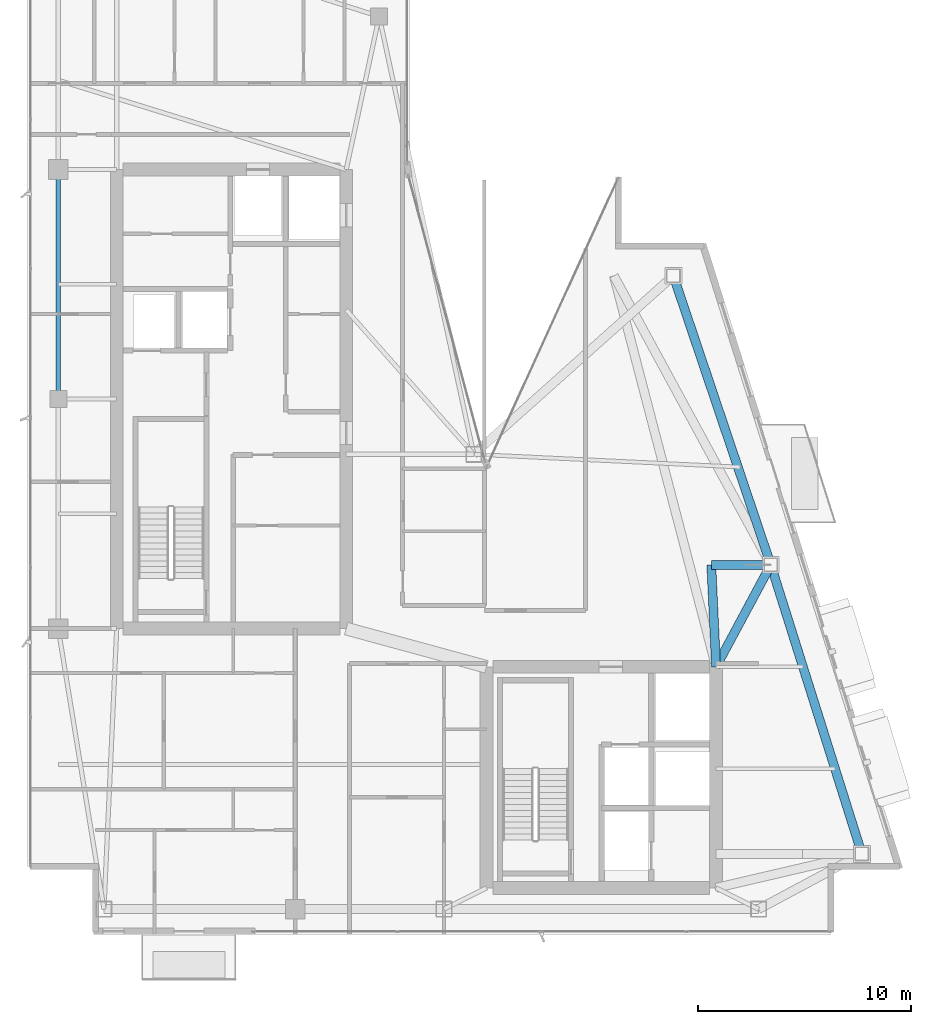
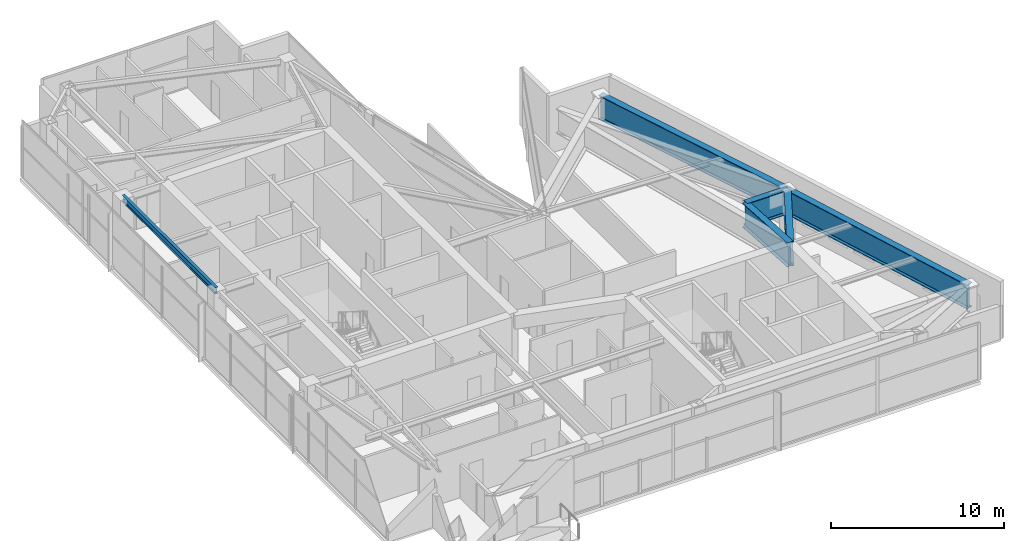
# One storey, part 14 of 26: 6 beams.
"""IFC4 building model written with IfcOpenShell, lengths in metres."""

from ifc_helpers import new_model, si_unit, direction, frame, origin, origin_2d, place, context, subcontext, project, spatial, i_section, extrude, material, material_profile, profile_set, type_object, element, save


model = new_model("IFC4")

# Units and contexts
model_context = context("Model", 3, precision=1e-05, world=origin(), true_north=direction((0.0, 1.0)))
body_context = subcontext(model_context, "Body", "Model", "MODEL_VIEW")
ifc_project = project(units=[si_unit("LENGTHUNIT", "METRE"), si_unit("AREAUNIT", "SQUARE_METRE"), si_unit("VOLUMEUNIT", "CUBIC_METRE"), si_unit("PLANEANGLEUNIT", "RADIAN"), si_unit("MASSUNIT", "GRAM", prefix="KILO")], contexts=[model_context])

# Site, building, storey
site_placement = place(None, origin())
site = spatial("IfcSite", under=ifc_project, at=site_placement, CompositionType="ELEMENT")
building_placement = place(site_placement, origin())
building = spatial("IfcBuilding", under=site, at=building_placement, Name="Calvorn Quay Hotel", CompositionType="ELEMENT")
storey_placement = place(building_placement, frame((0.0, 0.0, 302.5)))
storey = spatial("IfcBuildingStorey", under=building, at=storey_placement, Name="L75", CompositionType="ELEMENT", Elevation=302.5)

# Beams
ifc_material_1 = material(Name="Steel Q355B", Category="steel")
ifc_material_profile_1 = material_profile(ifc_material_1, i_section(OverallWidth=0.199951171875, OverallDepth=0.449951171875, WebThickness=0.009033203125, FlangeThickness=0.013916015625, FilletRadius=0.01611328125, at=origin_2d()), Name="HN450x200x9x14")
ifc_profile_set_1 = profile_set([ifc_material_profile_1], Name="Steel Q355B")
beam_type_1 = type_object("IfcBeamType", Name="BM-SPANDREL-Z3", PredefinedType="SPANDREL", material=ifc_profile_set_1)
beam_1_placement = place(storey_placement, frame((1.449951171875, 27.60009765625, 3.824951171875), z_axis=(0.0, 1.0, 0.0), x_axis=(-1.0, 0.0, 0.0)))
element("IfcBeam", 1, at=beam_1_placement, inside=storey, type_object=beam_type_1, Name="Beam BSP-L75-W3", PredefinedType="SPANDREL", context=body_context, shape_type="SweptSolid", body=[
    extrude(i_section(OverallWidth=0.199951171875, OverallDepth=0.449951171875, WebThickness=0.009033203125, FlangeThickness=0.013916015625, FilletRadius=0.01611328125, at=origin_2d()), origin(), (0.0, 0.0, 1.0), 10.7998046875),
])
ifc_material_2 = material(Name="Steel Q420GJC", Category="steel")
ifc_material_profile_2 = material_profile(ifc_material_2, i_section(OverallWidth=0.419921875, OverallDepth=1.699951171875, WebThickness=0.02392578125, FlangeThickness=0.0419921875, FilletRadius=0.02392578125, at=origin_2d()), Name="HN1700x420x24x42")
ifc_profile_set_2 = profile_set([ifc_material_profile_2], Name="Steel Q420GJC")
beam_type_2 = type_object("IfcBeamType", Name="BM-XFER-SAWTOOTH", PredefinedType="BEAM", material=ifc_profile_set_2)
beam_2_placement = place(storey_placement, frame((32.39990234375, 15.0, 3.199951171875), z_axis=(-0.046589910492, 0.998914100531, 0.0), x_axis=(-0.998914100531, -0.046589910492, 0.0)))
element("IfcBeam", 2, at=beam_2_placement, inside=storey, type_object=beam_type_2, Name="Beam BTG-L75-C-ET2A", PredefinedType="BEAM", context=body_context, shape_type="SweptSolid", body=[
    extrude(i_section(OverallWidth=0.419921875, OverallDepth=1.699951171875, WebThickness=0.02392578125, FlangeThickness=0.0419921875, FilletRadius=0.02392578125, at=origin_2d()), origin(), (0.0, 0.0, 1.0), 4.80517578125),
])
beam_3_placement = place(storey_placement, frame((32.176025390625, 19.800048828125, 3.199951171875), z_axis=(1.0, 0.0, 0.0), x_axis=(0.0, 1.0, 0.0)))
element("IfcBeam", 3, at=beam_3_placement, inside=storey, type_object=beam_type_2, Name="Beam BTG-L75-C-ET2B", PredefinedType="BEAM", context=body_context, shape_type="SweptSolid", body=[
    extrude(i_section(OverallWidth=0.419921875, OverallDepth=1.699951171875, WebThickness=0.02392578125, FlangeThickness=0.0419921875, FilletRadius=0.02392578125, at=origin_2d()), origin(), (0.0, 0.0, 1.0), 2.800048828125),
])
beam_4_placement = place(storey_placement, frame((39.260986328125, 6.199951171875, 3.199951171875), z_axis=(-0.300502802767, 0.953780931624, 0.0), x_axis=(-0.953780931624, -0.300502802767, 0.0)))
element("IfcBeam", 4, at=beam_4_placement, inside=storey, type_object=beam_type_2, Name="Beam BSP-L75-E1", PredefinedType="BEAM", context=body_context, shape_type="SweptSolid", body=[
    extrude(i_section(OverallWidth=0.419921875, OverallDepth=1.699951171875, WebThickness=0.02392578125, FlangeThickness=0.0419921875, FilletRadius=0.02392578125, at=origin_2d()), origin(), (0.0, 0.0, 1.0), 14.259033203125),
])
beam_5_placement = place(storey_placement, frame((34.97607421875, 19.800048828125, 3.199951171875), z_axis=(-0.319466515944, 0.947597564998, 0.0), x_axis=(-0.947597564998, -0.319466515944, 0.0)))
element("IfcBeam", 5, at=beam_5_placement, inside=storey, type_object=beam_type_2, Name="Beam BSP-L75-E2", PredefinedType="BEAM", context=body_context, shape_type="SweptSolid", body=[
    extrude(i_section(OverallWidth=0.419921875, OverallDepth=1.699951171875, WebThickness=0.02392578125, FlangeThickness=0.0419921875, FilletRadius=0.02392578125, at=origin_2d()), origin(), (0.0, 0.0, 1.0), 14.35205078125),
])
beam_6_placement = place(storey_placement, frame((32.39990234375, 15.0, 3.199951171875), z_axis=(0.472894086188, 0.881119278672, 0.0), x_axis=(-0.881119278672, 0.472894086188, 0.0)))
element("IfcBeam", 6, at=beam_6_placement, inside=storey, type_object=beam_type_2, Name="Beam BTG-L75-02", PredefinedType="BEAM", context=body_context, shape_type="SweptSolid", body=[
    extrude(i_section(OverallWidth=0.419921875, OverallDepth=1.699951171875, WebThickness=0.02392578125, FlangeThickness=0.0419921875, FilletRadius=0.02392578125, at=origin_2d()), origin(), (0.0, 0.0, 1.0), 5.44775390625),
])

save(model, "model.ifc")
